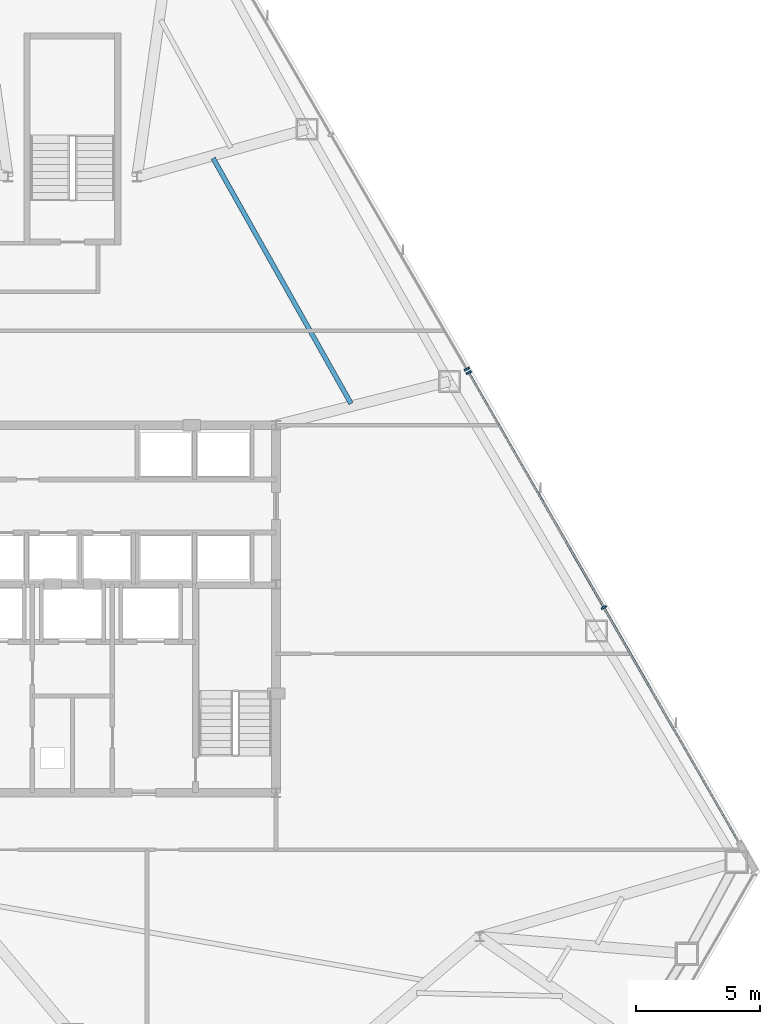
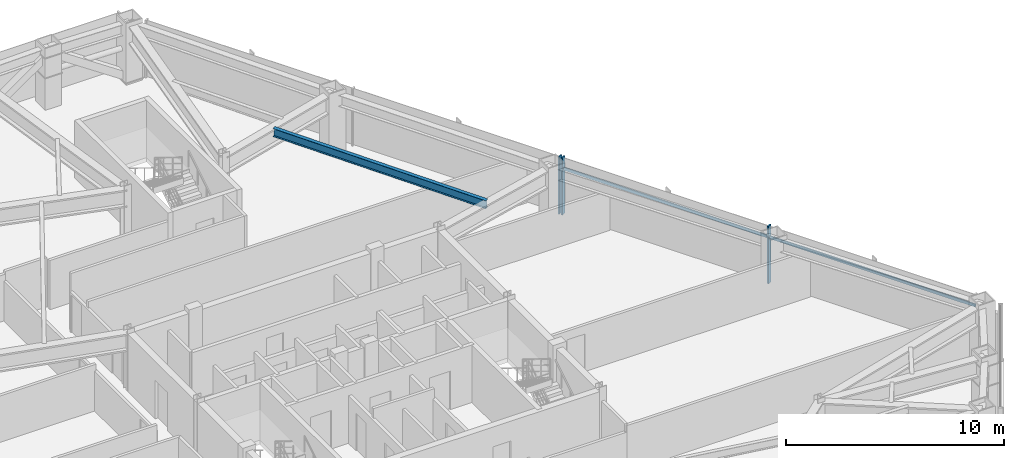
# One storey, part 7 of 13: 4 members, 1 beam, 2 elements without a shape of their own.
"""IFC4 building model written with IfcOpenShell, lengths in metres."""

from ifc_helpers import new_model, si_unit, direction, frame, origin, origin_2d, place, context, subcontext, project, spatial, rectangle, i_section, extrude, source, transform, mapped, material, layer, layer_set, material_profile, profile_set, type_object, type_shapes, element, aggregate, save


model = new_model("IFC4")

# Units and contexts
model_context = context("Model", 3, precision=1e-05, world=origin(), true_north=direction((0.0, 1.0)))
body_context = subcontext(model_context, "Body", "Model", "MODEL_VIEW")
ifc_project = project(units=[si_unit("LENGTHUNIT", "METRE"), si_unit("AREAUNIT", "SQUARE_METRE"), si_unit("VOLUMEUNIT", "CUBIC_METRE"), si_unit("PLANEANGLEUNIT", "RADIAN"), si_unit("MASSUNIT", "GRAM", prefix="KILO")], contexts=[model_context])

# Site, building, storey
site_placement = place(None, origin())
site = spatial("IfcSite", under=ifc_project, at=site_placement, CompositionType="ELEMENT")
building_placement = place(site_placement, origin())
building = spatial("IfcBuilding", under=site, at=building_placement, Name="Varakhsha Concourse Tower", CompositionType="ELEMENT")
storey_placement = place(building_placement, frame((0.0, 0.0, 126.35009765625)))
storey = spatial("IfcBuildingStorey", under=building, at=storey_placement, Name="L36", CompositionType="ELEMENT", Elevation=126.35009765625)

# Beam
ifc_material_1 = material(Name="Structural Steel ASTM A992 Grade 50", Category="steel")
ifc_material_profile_1 = material_profile(ifc_material_1, i_section(OverallWidth=0.19091796875, OverallDepth=0.45703125, WebThickness=0.009033203125, FlangeThickness=0.013916015625, at=origin_2d()), Name="W18X50")
ifc_profile_set_1 = profile_set([ifc_material_profile_1], Name="Structural Steel ASTM A992 Grade 50")
beam_type = type_object("IfcBeamType", Name="BM-JST-W18X50", PredefinedType="JOIST", material=ifc_profile_set_1)
beam_placement = place(storey_placement, frame((51.21728515625, 32.072265625, 2.9814453125), z_axis=(-0.489958387132, 0.871745822404, 0.0), x_axis=(-0.871745822404, -0.489958387132, 0.0)))
element("IfcBeam", 1, at=beam_placement, inside=storey, type_object=beam_type, Name="BM-TJST-L36-17", PredefinedType="JOIST", context=body_context, shape_type="SweptSolid", body=[
    extrude(i_section(OverallWidth=0.19091796875, OverallDepth=0.45703125, WebThickness=0.009033203125, FlangeThickness=0.013916015625, at=origin_2d()), origin(), (0.0, 0.0, 1.0), 11.330078125),
])

# Curtain wall, members
ifc_material_2 = material(Name="Anodised Bronze Architectural Aluminium AA 6063-T6", Category="aluminium")
ifc_layer = layer(ifc_material_2, 0.2099609375, Name="CW-SYS-04")
ifc_layer_set = layer_set([ifc_layer], Name="Anodised Bronze Architectural Aluminium AA 6063-T6")
curtain_wall_type = type_object("IfcCurtainWallType", Name="CW-SYS-04", PredefinedType="NOTDEFINED", material=ifc_layer_set)
curtain_wall_1_placement = place(storey_placement, origin())
curtain_wall_1 = element("IfcCurtainWall", 2, at=curtain_wall_1_placement, inside=storey, type_object=curtain_wall_type, Name="L36 Crystal Curtain Wall F8", PredefinedType="NOTDEFINED")
ifc_material_profile_2 = material_profile(ifc_material_2, rectangle(XDim=0.074951171875, YDim=0.219970703125, at=origin_2d()), Name="CWM-220X75")
ifc_profile_set_2 = profile_set([ifc_material_profile_2], Name="Anodised Bronze Architectural Aluminium AA 6063-T6")
member_type_1 = type_object("IfcMemberType", Name="CWM-220X75", PredefinedType="MULLION", material=ifc_profile_set_2)
shared_shape_1 = source(origin(), body_context, "Body", "SweptSolid", [
    extrude(rectangle(XDim=0.074951171875, YDim=0.219970703125, at=origin_2d()), origin(), (0.0, 0.0, 1.0), 3.2099609375),
])
type_shapes(member_type_1, [shared_shape_1])
member_1_placement = place(storey_placement, frame((55.9580078125, 33.3212890625, 0.0), z_axis=(0.0, 0.0, 1.0), x_axis=(0.498489252773, -0.866895878909, 0.0)))
member_1 = element("IfcMember", 3, at=member_1_placement, type_object=member_type_1, Name="CW-L36-F8 Mullion 00", PredefinedType="MULLION", context=body_context, shape_type="MappedRepresentation", body=[
    mapped(shared_shape_1, transform((0.0, 0.0, 0.0), scale=1.0)),
])
member_2_placement = place(storey_placement, frame((61.398681640625, 23.859619140625, 0.0), z_axis=(0.0, 0.0, 1.0), x_axis=(0.498489252773, -0.866895878909, 0.0)))
member_2 = element("IfcMember", 4, at=member_2_placement, type_object=member_type_1, Name="CW-L36-F8 Mullion 01", PredefinedType="MULLION", context=body_context, shape_type="MappedRepresentation", body=[
    mapped(shared_shape_1, transform((0.0, 0.0, 0.0), scale=1.0)),
])

# Curtain wall, member
curtain_wall_2_placement = place(storey_placement, origin())
curtain_wall_2 = element("IfcCurtainWall", 5, at=curtain_wall_2_placement, inside=storey, type_object=curtain_wall_type, Name="L36 Crystal Curtain Wall F9", PredefinedType="NOTDEFINED")
member_3_placement = place(storey_placement, frame((55.878173828125, 33.459228515625, 0.0), z_axis=(0.0, 0.0, 1.0), x_axis=(0.501513757105, -0.865149669962, 0.0)))
member_3 = element("IfcMember", 6, at=member_3_placement, type_object=member_type_1, Name="CW-L36-F9 Mullion 02", PredefinedType="MULLION", context=body_context, shape_type="MappedRepresentation", body=[
    mapped(shared_shape_1, transform((0.0, 0.0, 0.0), scale=1.0)),
])
aggregate(curtain_wall_2, [member_3])

# Member
ifc_material_profile_3 = material_profile(ifc_material_2, rectangle(XDim=0.06494140625, YDim=0.159912109375, at=origin_2d()), Name="CWT-160X65")
ifc_profile_set_3 = profile_set([ifc_material_profile_3], Name="Anodised Bronze Architectural Aluminium AA 6063-T6")
member_type_2 = type_object("IfcMemberType", Name="CWT-160X65", PredefinedType="USERDEFINED", material=ifc_profile_set_3)
shared_shape_2 = source(origin(), body_context, "Body", "SweptSolid", [
    extrude(rectangle(XDim=0.06494140625, YDim=0.159912109375, at=origin_2d()), origin(), (0.0, 0.0, 1.0), 21.828369140625),
])
type_shapes(member_type_2, [shared_shape_2])
member_4_placement = place(storey_placement, frame((55.9580078125, 33.3212890625, 2.559814453125), z_axis=(0.498482261443, -0.866899899081, 0.0), x_axis=(0.866899899081, 0.498482261443, 0.0)))
member_4 = element("IfcMember", 7, at=member_4_placement, type_object=member_type_2, Name="CW-L36-F8 Transom 01", ObjectType="TRANSOM", PredefinedType="USERDEFINED", context=body_context, shape_type="MappedRepresentation", body=[
    mapped(shared_shape_2, transform((0.0, 0.0, 0.0), scale=1.0)),
])

aggregate(curtain_wall_1, [member_1, member_2, member_4])

save(model, "model.ifc")
